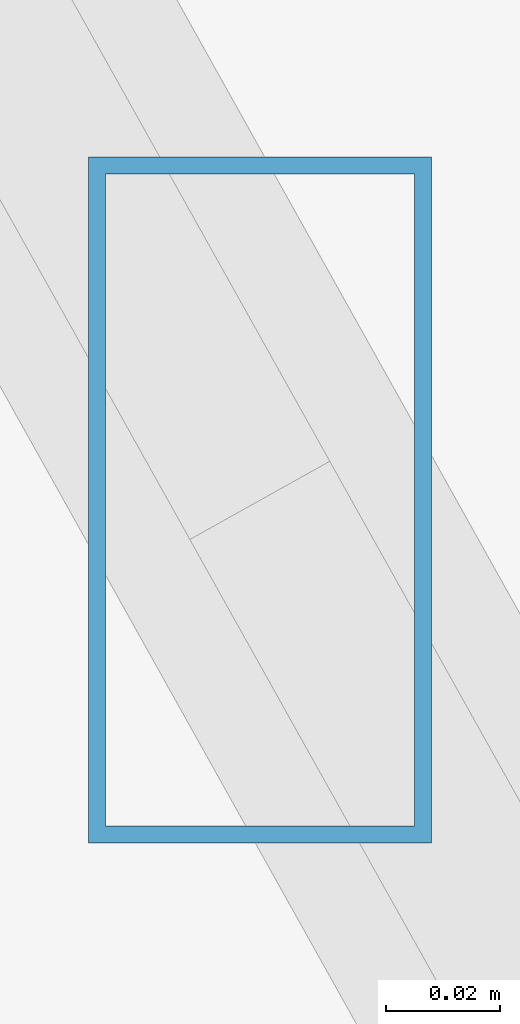
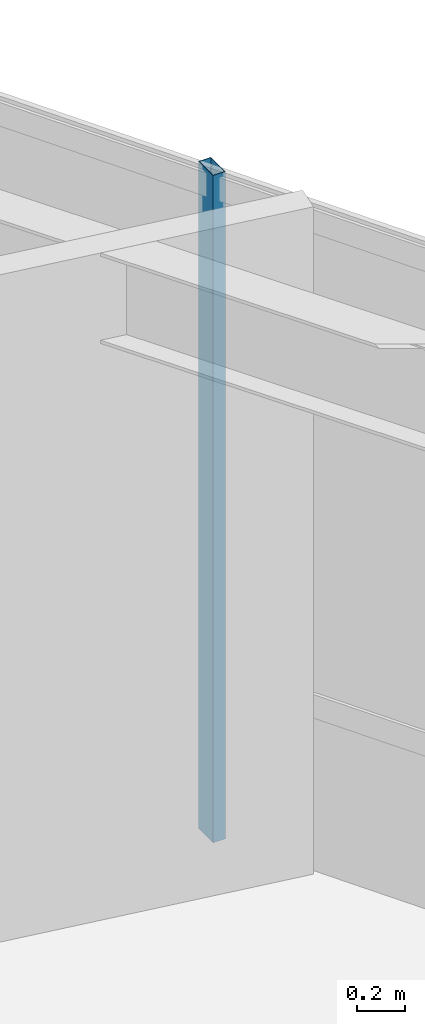
# One storey, part 25 of 45: 1 member, 1 element without a shape of its own.
"""IFC4 building model written with IfcOpenShell, lengths in metres."""

from ifc_helpers import new_model, si_unit, direction, frame, origin, origin_2d, place, context, subcontext, project, spatial, hollow_rectangle, extrude, source, transform, mapped, material, material_profile, profile_set, type_object, type_shapes, element, aggregate, save


model = new_model("IFC4")

# Units and contexts
model_context = context("Model", 3, precision=1e-05, world=origin(), true_north=direction((0.0, 1.0)))
body_context = subcontext(model_context, "Body", "Model", "MODEL_VIEW")
ifc_project = project(units=[si_unit("LENGTHUNIT", "METRE"), si_unit("AREAUNIT", "SQUARE_METRE"), si_unit("VOLUMEUNIT", "CUBIC_METRE"), si_unit("PLANEANGLEUNIT", "RADIAN"), si_unit("MASSUNIT", "GRAM", prefix="KILO")], contexts=[model_context])

# Site, building, storey
site_placement = place(None, origin())
site = spatial("IfcSite", under=ifc_project, at=site_placement, CompositionType="ELEMENT")
building_placement = place(site_placement, origin())
building = spatial("IfcBuilding", under=site, at=building_placement, Name="Caelisora Broadcast Tower", CompositionType="ELEMENT")
storey_placement = place(building_placement, frame((0.0, 0.0, 262.699951171875)))
storey = spatial("IfcBuildingStorey", under=building, at=storey_placement, Name="L69", CompositionType="ELEMENT", Elevation=262.699951171875)

# Curtain wall, member
ifc_material_1 = material(Name="Unitised Aluminium and Low-E Glass Curtain Wall", Category="glass")
curtain_wall_type = type_object("IfcCurtainWallType", Name="CW-Z5", PredefinedType="NOTDEFINED", material=ifc_material_1)
curtain_wall_placement = place(storey_placement, origin())
curtain_wall = element("IfcCurtainWall", 1, at=curtain_wall_placement, inside=storey, type_object=curtain_wall_type, Name="L69 curtain wall CW-Z5", PredefinedType="NOTDEFINED")
ifc_material_2 = material(Name="Aluminium 6063-T6 Anodised Terracotta Bronze", Category="aluminium")
ifc_material_profile = material_profile(ifc_material_2, hollow_rectangle(XDim=0.06005859375, YDim=0.1201171875, WallThickness=0.0029296875, at=origin_2d()), Name="Aluminium 6063-T6 Anodised Terracotta Bronze")
ifc_profile_set = profile_set([ifc_material_profile], Name="Aluminium 6063-T6 Anodised Terracotta Bronze")
member_type = type_object("IfcMemberType", Name="CWM-04", PredefinedType="MULLION", material=ifc_profile_set)
shared_shape = source(origin(), body_context, "Body", "SweptSolid", [
    extrude(hollow_rectangle(XDim=0.06005859375, YDim=0.1201171875, WallThickness=0.0029296875, at=origin_2d()), origin(), (0.0, 0.0, 1.0), 3.400146484375),
])
type_shapes(member_type, [shared_shape])
member_placement = place(storey_placement, frame((57.0966796875, 21.23291015625, 0.0), z_axis=(0.0, 0.0, 1.0), x_axis=(1.0, 0.0, 0.0)))
member = element("IfcMember", 2, at=member_placement, type_object=member_type, Name="L69-CW-B03 mullion #1", PredefinedType="MULLION", context=body_context, shape_type="MappedRepresentation", body=[
    mapped(shared_shape, transform((0.0, 0.0, 0.0), scale=1.0)),
])
aggregate(curtain_wall, [member])

save(model, "model.ifc")
